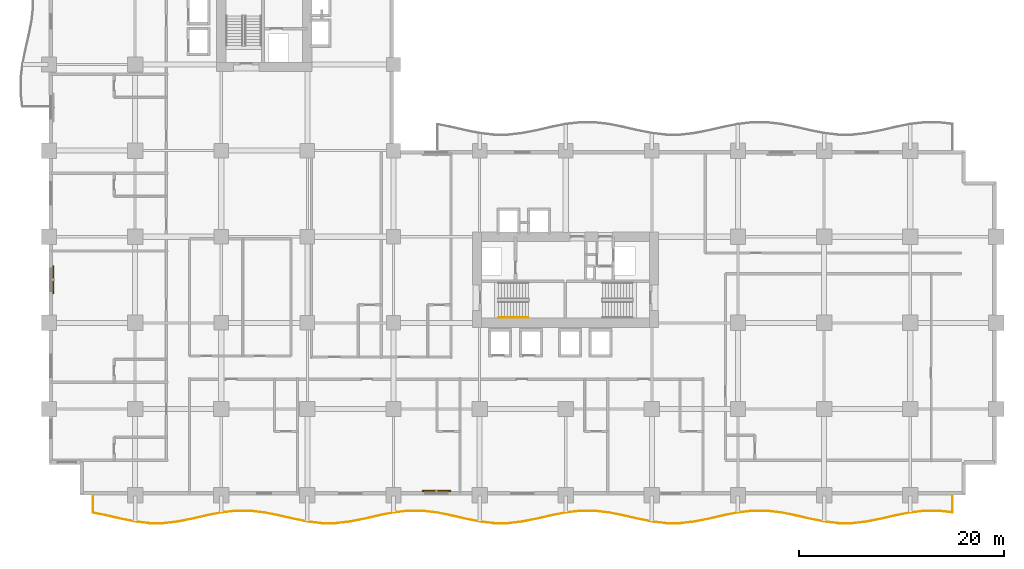
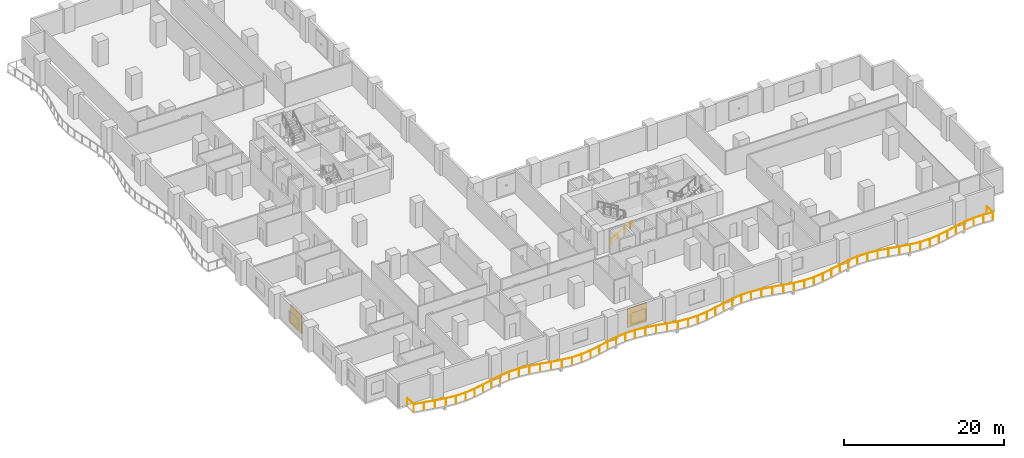
# One storey, part 17 of 20: 2 railings, 2 shading devices.
"""IFC4 building model written with IfcOpenShell, lengths in metres."""

from ifc_helpers import new_model, si_unit, direction, frame, origin, origin_2d, place, context, subcontext, project, spatial, rectangle, circle, extrude, material, layer, layer_set, type_object, element, save


model = new_model("IFC4")

# Units and contexts
model_context = context("Model", 3, precision=1e-05, world=origin(), true_north=direction((0.0, 1.0)))
body_context = subcontext(model_context, "Body", "Model", "MODEL_VIEW")
ifc_project = project(units=[si_unit("LENGTHUNIT", "METRE"), si_unit("AREAUNIT", "SQUARE_METRE"), si_unit("VOLUMEUNIT", "CUBIC_METRE"), si_unit("PLANEANGLEUNIT", "RADIAN"), si_unit("MASSUNIT", "GRAM", prefix="KILO")], contexts=[model_context])

# Site, building, storey
site_placement = place(None, origin())
site = spatial("IfcSite", under=ifc_project, at=site_placement, CompositionType="ELEMENT")
building_placement = place(site_placement, origin())
building = spatial("IfcBuilding", under=site, at=building_placement, Name="Koriwani Terraces Tower", CompositionType="ELEMENT")
storey_placement = place(building_placement, frame((0.0, 0.0, 73.800048828125)))
storey = spatial("IfcBuildingStorey", under=building, at=storey_placement, Name="L17", CompositionType="ELEMENT", Elevation=73.800048828125)

# Railings
ifc_material_1 = material(Name="Steel ASTM A572 Grade 50", Category="steel")
railing_type_1 = type_object("IfcRailingType", Name="GUARD_BALUSTRADE_1150", PredefinedType="BALUSTRADE", material=ifc_material_1)
railing_1_placement = place(storey_placement, frame((4.280029296875, -0.080078125, 0.0)))
element("IfcRailing", 1, at=railing_1_placement, inside=storey, type_object=railing_type_1, Name="L17 Balcony Perimeter Safety Balustrade (S)", PredefinedType="BALUSTRADE", context=body_context, shape_type="SweptSolid", body=[
    extrude(circle(Radius=0.02392578125, at=origin_2d()), frame((0.0, 0.0, 1.1259765625), z_axis=(0.0, -1.0, 0.0), x_axis=(1.0, 0.0, 0.0)), (0.0, 0.0, 1.0), 1.637451171875),
    extrude(circle(Radius=0.02392578125, at=origin_2d()), frame((0.0, -1.637451171875, 1.1259765625), z_axis=(0.980553117747, -0.196253874553, 0.0), x_axis=(0.196253874553, 0.980553117747, 0.0)), (0.0, 0.0, 1.0), 1.363525390625),
    extrude(circle(Radius=0.02392578125, at=origin_2d()), frame((1.3369140625, -1.905029296875, 1.1259765625), z_axis=(0.974325285753, -0.225144925641, 0.0), x_axis=(0.225144925641, 0.974325285753, 0.0)), (0.0, 0.0, 1.0), 1.436767578125),
    extrude(circle(Radius=0.02392578125, at=origin_2d()), frame((2.73681640625, -2.228515625, 1.1259765625), z_axis=(0.980560880312, -0.196215086073, 0.0), x_axis=(0.196215086073, 0.980560880312, 0.0)), (0.0, 0.0, 1.0), 1.42333984375),
    extrude(circle(Radius=0.02392578125, at=origin_2d()), frame((4.132568359375, -2.5078125, 1.1259765625), z_axis=(0.993387554732, -0.114809259658, 0.0), x_axis=(0.114809259658, 0.993387554732, 0.0)), (0.0, 0.0, 1.0), 1.4013671875),
    extrude(circle(Radius=0.02392578125, at=origin_2d()), frame((5.524658203125, -2.668701171875, 1.1259765625), z_axis=(1.0, 0.0, 0.0), x_axis=(0.0, 1.0, 0.0)), (0.0, 0.0, 1.0), 1.390625),
    extrude(circle(Radius=0.02392578125, at=origin_2d()), frame((6.915283203125, -2.668701171875, 1.1259765625), z_axis=(0.993387554732, 0.114809259658, 0.0), x_axis=(-0.114809259658, 0.993387554732, 0.0)), (0.0, 0.0, 1.0), 1.4013671875),
    extrude(circle(Radius=0.02392578125, at=origin_2d()), frame((8.307373046875, -2.5078125, 1.1259765625), z_axis=(0.980560880312, 0.196215086073, 0.0), x_axis=(-0.196215086073, 0.980560880312, 0.0)), (0.0, 0.0, 1.0), 1.42333984375),
    extrude(circle(Radius=0.02392578125, at=origin_2d()), frame((9.703125, -2.228515625, 1.1259765625), z_axis=(0.974325285753, 0.225144925641, 0.0), x_axis=(-0.225144925641, 0.974325285753, 0.0)), (0.0, 0.0, 1.0), 1.436767578125),
    extrude(circle(Radius=0.02392578125, at=origin_2d()), frame((11.10302734375, -1.905029296875, 1.1259765625), z_axis=(0.980567562379, 0.196181690301, 0.0), x_axis=(-0.196181690301, 0.980567562379, 0.0)), (0.0, 0.0, 1.0), 1.432373046875),
    extrude(circle(Radius=0.02392578125, at=origin_2d()), frame((12.507568359375, -1.6240234375, 1.1259765625), z_axis=(0.993395347306, 0.114741814309, 0.0), x_axis=(-0.114741814309, 0.993395347306, 0.0)), (0.0, 0.0, 1.0), 1.4169921875),
    extrude(circle(Radius=0.02392578125, at=origin_2d()), frame((13.915283203125, -1.46142578125, 1.1259765625), z_axis=(1.0, 0.0, 0.0), x_axis=(0.0, 1.0, 0.0)), (0.0, 0.0, 1.0), 1.4091796875),
    extrude(circle(Radius=0.02392578125, at=origin_2d()), frame((15.324462890625, -1.46142578125, 1.1259765625), z_axis=(0.993397614974, -0.114722179915, 0.0), x_axis=(0.114722179915, 0.993397614974, 0.0)), (0.0, 0.0, 1.0), 1.417236328125),
    extrude(circle(Radius=0.02392578125, at=origin_2d()), frame((16.732421875, -1.6240234375, 1.1259765625), z_axis=(0.980567562379, -0.196181690301, 0.0), x_axis=(0.196181690301, 0.980567562379, 0.0)), (0.0, 0.0, 1.0), 1.432373046875),
    extrude(circle(Radius=0.02392578125, at=origin_2d()), frame((18.136962890625, -1.905029296875, 1.1259765625), z_axis=(0.974325285753, -0.225144925641, 0.0), x_axis=(0.225144925641, 0.974325285753, 0.0)), (0.0, 0.0, 1.0), 1.436767578125),
    extrude(circle(Radius=0.02392578125, at=origin_2d()), frame((19.536865234375, -2.228515625, 1.1259765625), z_axis=(0.980554275191, -0.196248091466, 0.0), x_axis=(0.196248091466, 0.980554275191, 0.0)), (0.0, 0.0, 1.0), 1.423095703125),
    extrude(circle(Radius=0.02392578125, at=origin_2d()), frame((20.932373046875, -2.5078125, 1.1259765625), z_axis=(0.993387554732, -0.114809259658, 0.0), x_axis=(0.114809259658, 0.993387554732, 0.0)), (0.0, 0.0, 1.0), 1.4013671875),
    extrude(circle(Radius=0.02392578125, at=origin_2d()), frame((22.324462890625, -2.668701171875, 1.1259765625), z_axis=(1.0, 0.0, 0.0), x_axis=(0.0, 1.0, 0.0)), (0.0, 0.0, 1.0), 1.390869140625),
    extrude(circle(Radius=0.02392578125, at=origin_2d()), frame((23.71533203125, -2.668701171875, 1.1259765625), z_axis=(0.993387554732, 0.114809259658, 0.0), x_axis=(-0.114809259658, 0.993387554732, 0.0)), (0.0, 0.0, 1.0), 1.4013671875),
    extrude(circle(Radius=0.02392578125, at=origin_2d()), frame((25.107421875, -2.5078125, 1.1259765625), z_axis=(0.980560880312, 0.196215086073, 0.0), x_axis=(-0.196215086073, 0.980560880312, 0.0)), (0.0, 0.0, 1.0), 1.42333984375),
    extrude(circle(Radius=0.02392578125, at=origin_2d()), frame((26.503173828125, -2.228515625, 1.1259765625), z_axis=(0.974325285753, 0.225144925641, 0.0), x_axis=(-0.225144925641, 0.974325285753, 0.0)), (0.0, 0.0, 1.0), 1.436767578125),
    extrude(circle(Radius=0.02392578125, at=origin_2d()), frame((27.903076171875, -1.905029296875, 1.1259765625), z_axis=(0.980567562379, 0.196181690301, 0.0), x_axis=(-0.196181690301, 0.980567562379, 0.0)), (0.0, 0.0, 1.0), 1.432373046875),
    extrude(circle(Radius=0.02392578125, at=origin_2d()), frame((29.3076171875, -1.6240234375, 1.1259765625), z_axis=(0.993395347306, 0.114741814309, 0.0), x_axis=(-0.114741814309, 0.993395347306, 0.0)), (0.0, 0.0, 1.0), 1.4169921875),
    extrude(circle(Radius=0.02392578125, at=origin_2d()), frame((30.71533203125, -1.46142578125, 1.1259765625), z_axis=(1.0, 0.0, 0.0), x_axis=(0.0, 1.0, 0.0)), (0.0, 0.0, 1.0), 1.4091796875),
    extrude(circle(Radius=0.02392578125, at=origin_2d()), frame((32.12451171875, -1.46142578125, 1.1259765625), z_axis=(0.993397614974, -0.114722179915, 0.0), x_axis=(0.114722179915, 0.993397614974, 0.0)), (0.0, 0.0, 1.0), 1.417236328125),
    extrude(circle(Radius=0.02392578125, at=origin_2d()), frame((33.532470703125, -1.6240234375, 1.1259765625), z_axis=(0.980561000791, -0.19621448399, 0.0), x_axis=(0.19621448399, 0.980561000791, 0.0)), (0.0, 0.0, 1.0), 1.43212890625),
    extrude(circle(Radius=0.02392578125, at=origin_2d()), frame((34.936767578125, -1.905029296875, 1.1259765625), z_axis=(0.974333896935, -0.225107657095, 0.0), x_axis=(0.225107657095, 0.974333896935, 0.0)), (0.0, 0.0, 1.0), 1.43701171875),
    extrude(circle(Radius=0.02392578125, at=origin_2d()), frame((36.3369140625, -2.228515625, 1.1259765625), z_axis=(0.980554275191, -0.196248091466, 0.0), x_axis=(0.196248091466, 0.980554275191, 0.0)), (0.0, 0.0, 1.0), 1.423095703125),
    extrude(circle(Radius=0.02392578125, at=origin_2d()), frame((37.732421875, -2.5078125, 1.1259765625), z_axis=(0.993387554732, -0.114809259658, 0.0), x_axis=(0.114809259658, 0.993387554732, 0.0)), (0.0, 0.0, 1.0), 1.4013671875),
    extrude(circle(Radius=0.02392578125, at=origin_2d()), frame((39.12451171875, -2.668701171875, 1.1259765625), z_axis=(1.0, 0.0, 0.0), x_axis=(0.0, 1.0, 0.0)), (0.0, 0.0, 1.0), 1.390869140625),
    extrude(circle(Radius=0.02392578125, at=origin_2d()), frame((40.515380859375, -2.668701171875, 1.1259765625), z_axis=(0.993387554732, 0.114809259658, 0.0), x_axis=(-0.114809259658, 0.993387554732, 0.0)), (0.0, 0.0, 1.0), 1.4013671875),
    extrude(circle(Radius=0.02392578125, at=origin_2d()), frame((41.907470703125, -2.5078125, 1.1259765625), z_axis=(0.980554275191, 0.196248091466, 0.0), x_axis=(-0.196248091466, 0.980554275191, 0.0)), (0.0, 0.0, 1.0), 1.423095703125),
    extrude(circle(Radius=0.02392578125, at=origin_2d()), frame((43.302978515625, -2.228515625, 1.1259765625), z_axis=(0.974333896935, 0.225107657095, 0.0), x_axis=(-0.225107657095, 0.974333896935, 0.0)), (0.0, 0.0, 1.0), 1.43701171875),
    extrude(circle(Radius=0.02392578125, at=origin_2d()), frame((44.703125, -1.905029296875, 1.1259765625), z_axis=(0.980567562379, 0.196181690301, 0.0), x_axis=(-0.196181690301, 0.980567562379, 0.0)), (0.0, 0.0, 1.0), 1.432373046875),
    extrude(circle(Radius=0.02392578125, at=origin_2d()), frame((46.107666015625, -1.6240234375, 1.1259765625), z_axis=(0.993395347306, 0.114741814309, 0.0), x_axis=(-0.114741814309, 0.993395347306, 0.0)), (0.0, 0.0, 1.0), 1.4169921875),
    extrude(circle(Radius=0.02392578125, at=origin_2d()), frame((47.515380859375, -1.46142578125, 1.1259765625), z_axis=(1.0, 0.0, 0.0), x_axis=(0.0, 1.0, 0.0)), (0.0, 0.0, 1.0), 1.4091796875),
    extrude(circle(Radius=0.02392578125, at=origin_2d()), frame((48.924560546875, -1.46142578125, 1.1259765625), z_axis=(0.993395347306, -0.114741814309, 0.0), x_axis=(0.114741814309, 0.993395347306, 0.0)), (0.0, 0.0, 1.0), 1.4169921875),
    extrude(circle(Radius=0.02392578125, at=origin_2d()), frame((50.332275390625, -1.6240234375, 1.1259765625), z_axis=(0.980567562379, -0.196181690301, 0.0), x_axis=(0.196181690301, 0.980567562379, 0.0)), (0.0, 0.0, 1.0), 1.432373046875),
    extrude(circle(Radius=0.02392578125, at=origin_2d()), frame((51.73681640625, -1.905029296875, 1.1259765625), z_axis=(0.974333896935, -0.225107657095, 0.0), x_axis=(0.225107657095, 0.974333896935, 0.0)), (0.0, 0.0, 1.0), 1.43701171875),
    extrude(circle(Radius=0.02392578125, at=origin_2d()), frame((53.136962890625, -2.228515625, 1.1259765625), z_axis=(0.980554275191, -0.196248091466, 0.0), x_axis=(0.196248091466, 0.980554275191, 0.0)), (0.0, 0.0, 1.0), 1.423095703125),
    extrude(circle(Radius=0.02392578125, at=origin_2d()), frame((54.532470703125, -2.5078125, 1.1259765625), z_axis=(0.993387554732, -0.114809259658, 0.0), x_axis=(0.114809259658, 0.993387554732, 0.0)), (0.0, 0.0, 1.0), 1.4013671875),
    extrude(circle(Radius=0.02392578125, at=origin_2d()), frame((55.924560546875, -2.668701171875, 1.1259765625), z_axis=(1.0, 0.0, 0.0), x_axis=(0.0, 1.0, 0.0)), (0.0, 0.0, 1.0), 1.390869140625),
    extrude(circle(Radius=0.02392578125, at=origin_2d()), frame((57.3154296875, -2.668701171875, 1.1259765625), z_axis=(0.993387554732, 0.114809259658, 0.0), x_axis=(-0.114809259658, 0.993387554732, 0.0)), (0.0, 0.0, 1.0), 1.4013671875),
    extrude(circle(Radius=0.02392578125, at=origin_2d()), frame((58.70751953125, -2.5078125, 1.1259765625), z_axis=(0.980554275191, 0.196248091466, 0.0), x_axis=(-0.196248091466, 0.980554275191, 0.0)), (0.0, 0.0, 1.0), 1.423095703125),
    extrude(circle(Radius=0.02392578125, at=origin_2d()), frame((60.10302734375, -2.228515625, 1.1259765625), z_axis=(0.974333896935, 0.225107657095, 0.0), x_axis=(-0.225107657095, 0.974333896935, 0.0)), (0.0, 0.0, 1.0), 1.43701171875),
    extrude(circle(Radius=0.02392578125, at=origin_2d()), frame((61.503173828125, -1.905029296875, 1.1259765625), z_axis=(0.980561000791, 0.19621448399, 0.0), x_axis=(-0.19621448399, 0.980561000791, 0.0)), (0.0, 0.0, 1.0), 1.43212890625),
    extrude(circle(Radius=0.02392578125, at=origin_2d()), frame((62.907470703125, -1.6240234375, 1.1259765625), z_axis=(0.993397614974, 0.114722179915, 0.0), x_axis=(-0.114722179915, 0.993397614974, 0.0)), (0.0, 0.0, 1.0), 1.417236328125),
    extrude(circle(Radius=0.02392578125, at=origin_2d()), frame((64.3154296875, -1.46142578125, 1.1259765625), z_axis=(1.0, 0.0, 0.0), x_axis=(0.0, 1.0, 0.0)), (0.0, 0.0, 1.0), 1.4091796875),
    extrude(circle(Radius=0.02392578125, at=origin_2d()), frame((65.724609375, -1.46142578125, 1.1259765625), z_axis=(0.993395347306, -0.114741814309, 0.0), x_axis=(0.114741814309, 0.993395347306, 0.0)), (0.0, 0.0, 1.0), 1.4169921875),
    extrude(circle(Radius=0.02392578125, at=origin_2d()), frame((67.13232421875, -1.6240234375, 1.1259765625), z_axis=(0.980567562379, -0.196181690301, 0.0), x_axis=(0.196181690301, 0.980567562379, 0.0)), (0.0, 0.0, 1.0), 1.432373046875),
    extrude(circle(Radius=0.02392578125, at=origin_2d()), frame((68.536865234375, -1.905029296875, 1.1259765625), z_axis=(0.974325285753, -0.225144925641, 0.0), x_axis=(0.225144925641, 0.974325285753, 0.0)), (0.0, 0.0, 1.0), 1.436767578125),
    extrude(circle(Radius=0.02392578125, at=origin_2d()), frame((69.936767578125, -2.228515625, 1.1259765625), z_axis=(0.980560880312, -0.196215086073, 0.0), x_axis=(0.196215086073, 0.980560880312, 0.0)), (0.0, 0.0, 1.0), 1.42333984375),
    extrude(circle(Radius=0.02392578125, at=origin_2d()), frame((71.33251953125, -2.5078125, 1.1259765625), z_axis=(0.993387554732, -0.114809259658, 0.0), x_axis=(0.114809259658, 0.993387554732, 0.0)), (0.0, 0.0, 1.0), 1.4013671875),
    extrude(circle(Radius=0.02392578125, at=origin_2d()), frame((72.724609375, -2.668701171875, 1.1259765625), z_axis=(1.0, 0.0, 0.0), x_axis=(0.0, 1.0, 0.0)), (0.0, 0.0, 1.0), 1.390869140625),
    extrude(circle(Radius=0.02392578125, at=origin_2d()), frame((74.115478515625, -2.668701171875, 1.1259765625), z_axis=(0.993387554732, 0.114809259658, 0.0), x_axis=(-0.114809259658, 0.993387554732, 0.0)), (0.0, 0.0, 1.0), 1.4013671875),
    extrude(circle(Radius=0.02392578125, at=origin_2d()), frame((75.507568359375, -2.5078125, 1.1259765625), z_axis=(0.980554275191, 0.196248091466, 0.0), x_axis=(-0.196248091466, 0.980554275191, 0.0)), (0.0, 0.0, 1.0), 1.423095703125),
    extrude(circle(Radius=0.02392578125, at=origin_2d()), frame((76.903076171875, -2.228515625, 1.1259765625), z_axis=(0.974325285753, 0.225144925641, 0.0), x_axis=(-0.225144925641, 0.974325285753, 0.0)), (0.0, 0.0, 1.0), 1.436767578125),
    extrude(circle(Radius=0.02392578125, at=origin_2d()), frame((78.302978515625, -1.905029296875, 1.1259765625), z_axis=(0.980567562379, 0.196181690301, 0.0), x_axis=(-0.196181690301, 0.980567562379, 0.0)), (0.0, 0.0, 1.0), 1.432373046875),
    extrude(circle(Radius=0.02392578125, at=origin_2d()), frame((79.70751953125, -1.6240234375, 1.1259765625), z_axis=(0.993397614974, 0.114722179915, 0.0), x_axis=(-0.114722179915, 0.993397614974, 0.0)), (0.0, 0.0, 1.0), 1.417236328125),
    extrude(circle(Radius=0.02392578125, at=origin_2d()), frame((81.115478515625, -1.46142578125, 1.1259765625), z_axis=(1.0, 0.0, 0.0), x_axis=(0.0, 1.0, 0.0)), (0.0, 0.0, 1.0), 1.4091796875),
    extrude(circle(Radius=0.02392578125, at=origin_2d()), frame((82.524658203125, -1.46142578125, 1.1259765625), z_axis=(0.993402474505, -0.11468009264, 0.0), x_axis=(0.11468009264, 0.993402474505, 0.0)), (0.0, 0.0, 1.0), 1.32421875),
    extrude(circle(Radius=0.02392578125, at=origin_2d()), frame((83.840087890625, -1.61328125, 1.1259765625), z_axis=(0.0, 1.0, 0.0), x_axis=(-1.0, 0.0, 0.0)), (0.0, 0.0, 1.0), 1.61328125),
    extrude(circle(Radius=0.02099609375, at=origin_2d()), origin(), (0.0, 0.0, 1.0), 1.101806640625),
    extrude(circle(Radius=0.02099609375, at=origin_2d()), frame((0.0, -1.637451171875, 0.0)), (0.0, 0.0, 1.0), 1.101806640625),
    extrude(circle(Radius=0.02099609375, at=origin_2d()), frame((1.3369140625, -1.905029296875, 0.0)), (0.0, 0.0, 1.0), 1.101806640625),
    extrude(circle(Radius=0.02099609375, at=origin_2d()), frame((2.73681640625, -2.228515625, 0.0)), (0.0, 0.0, 1.0), 1.101806640625),
    extrude(circle(Radius=0.02099609375, at=origin_2d()), frame((4.132568359375, -2.5078125, 0.0)), (0.0, 0.0, 1.0), 1.101806640625),
    extrude(circle(Radius=0.02099609375, at=origin_2d()), frame((5.524658203125, -2.668701171875, 0.0)), (0.0, 0.0, 1.0), 1.101806640625),
    extrude(circle(Radius=0.02099609375, at=origin_2d()), frame((6.915283203125, -2.668701171875, 0.0)), (0.0, 0.0, 1.0), 1.101806640625),
    extrude(circle(Radius=0.02099609375, at=origin_2d()), frame((8.307373046875, -2.5078125, 0.0)), (0.0, 0.0, 1.0), 1.101806640625),
    extrude(circle(Radius=0.02099609375, at=origin_2d()), frame((9.703125, -2.228515625, 0.0)), (0.0, 0.0, 1.0), 1.101806640625),
    extrude(circle(Radius=0.02099609375, at=origin_2d()), frame((11.10302734375, -1.905029296875, 0.0)), (0.0, 0.0, 1.0), 1.101806640625),
    extrude(circle(Radius=0.02099609375, at=origin_2d()), frame((12.507568359375, -1.6240234375, 0.0)), (0.0, 0.0, 1.0), 1.101806640625),
    extrude(circle(Radius=0.02099609375, at=origin_2d()), frame((13.915283203125, -1.46142578125, 0.0)), (0.0, 0.0, 1.0), 1.101806640625),
    extrude(circle(Radius=0.02099609375, at=origin_2d()), frame((15.324462890625, -1.46142578125, 0.0)), (0.0, 0.0, 1.0), 1.101806640625),
    extrude(circle(Radius=0.02099609375, at=origin_2d()), frame((16.732421875, -1.6240234375, 0.0)), (0.0, 0.0, 1.0), 1.101806640625),
    extrude(circle(Radius=0.02099609375, at=origin_2d()), frame((18.136962890625, -1.905029296875, 0.0)), (0.0, 0.0, 1.0), 1.101806640625),
    extrude(circle(Radius=0.02099609375, at=origin_2d()), frame((19.536865234375, -2.228515625, 0.0)), (0.0, 0.0, 1.0), 1.101806640625),
    extrude(circle(Radius=0.02099609375, at=origin_2d()), frame((20.932373046875, -2.5078125, 0.0)), (0.0, 0.0, 1.0), 1.101806640625),
    extrude(circle(Radius=0.02099609375, at=origin_2d()), frame((22.324462890625, -2.668701171875, 0.0)), (0.0, 0.0, 1.0), 1.101806640625),
    extrude(circle(Radius=0.02099609375, at=origin_2d()), frame((23.71533203125, -2.668701171875, 0.0)), (0.0, 0.0, 1.0), 1.101806640625),
    extrude(circle(Radius=0.02099609375, at=origin_2d()), frame((25.107421875, -2.5078125, 0.0)), (0.0, 0.0, 1.0), 1.101806640625),
    extrude(circle(Radius=0.02099609375, at=origin_2d()), frame((26.503173828125, -2.228515625, 0.0)), (0.0, 0.0, 1.0), 1.101806640625),
    extrude(circle(Radius=0.02099609375, at=origin_2d()), frame((27.903076171875, -1.905029296875, 0.0)), (0.0, 0.0, 1.0), 1.101806640625),
    extrude(circle(Radius=0.02099609375, at=origin_2d()), frame((29.3076171875, -1.6240234375, 0.0)), (0.0, 0.0, 1.0), 1.101806640625),
    extrude(circle(Radius=0.02099609375, at=origin_2d()), frame((30.71533203125, -1.46142578125, 0.0)), (0.0, 0.0, 1.0), 1.101806640625),
    extrude(circle(Radius=0.02099609375, at=origin_2d()), frame((32.12451171875, -1.46142578125, 0.0)), (0.0, 0.0, 1.0), 1.101806640625),
    extrude(circle(Radius=0.02099609375, at=origin_2d()), frame((33.532470703125, -1.6240234375, 0.0)), (0.0, 0.0, 1.0), 1.101806640625),
    extrude(circle(Radius=0.02099609375, at=origin_2d()), frame((34.936767578125, -1.905029296875, 0.0)), (0.0, 0.0, 1.0), 1.101806640625),
    extrude(circle(Radius=0.02099609375, at=origin_2d()), frame((36.3369140625, -2.228515625, 0.0)), (0.0, 0.0, 1.0), 1.101806640625),
    extrude(circle(Radius=0.02099609375, at=origin_2d()), frame((37.732421875, -2.5078125, 0.0)), (0.0, 0.0, 1.0), 1.101806640625),
    extrude(circle(Radius=0.02099609375, at=origin_2d()), frame((39.12451171875, -2.668701171875, 0.0)), (0.0, 0.0, 1.0), 1.101806640625),
    extrude(circle(Radius=0.02099609375, at=origin_2d()), frame((40.515380859375, -2.668701171875, 0.0)), (0.0, 0.0, 1.0), 1.101806640625),
    extrude(circle(Radius=0.02099609375, at=origin_2d()), frame((41.907470703125, -2.5078125, 0.0)), (0.0, 0.0, 1.0), 1.101806640625),
    extrude(circle(Radius=0.02099609375, at=origin_2d()), frame((43.302978515625, -2.228515625, 0.0)), (0.0, 0.0, 1.0), 1.101806640625),
    extrude(circle(Radius=0.02099609375, at=origin_2d()), frame((44.703125, -1.905029296875, 0.0)), (0.0, 0.0, 1.0), 1.101806640625),
    extrude(circle(Radius=0.02099609375, at=origin_2d()), frame((46.107666015625, -1.6240234375, 0.0)), (0.0, 0.0, 1.0), 1.101806640625),
    extrude(circle(Radius=0.02099609375, at=origin_2d()), frame((47.515380859375, -1.46142578125, 0.0)), (0.0, 0.0, 1.0), 1.101806640625),
    extrude(circle(Radius=0.02099609375, at=origin_2d()), frame((48.924560546875, -1.46142578125, 0.0)), (0.0, 0.0, 1.0), 1.101806640625),
    extrude(circle(Radius=0.02099609375, at=origin_2d()), frame((50.332275390625, -1.6240234375, 0.0)), (0.0, 0.0, 1.0), 1.101806640625),
    extrude(circle(Radius=0.02099609375, at=origin_2d()), frame((51.73681640625, -1.905029296875, 0.0)), (0.0, 0.0, 1.0), 1.101806640625),
    extrude(circle(Radius=0.02099609375, at=origin_2d()), frame((53.136962890625, -2.228515625, 0.0)), (0.0, 0.0, 1.0), 1.101806640625),
    extrude(circle(Radius=0.02099609375, at=origin_2d()), frame((54.532470703125, -2.5078125, 0.0)), (0.0, 0.0, 1.0), 1.101806640625),
    extrude(circle(Radius=0.02099609375, at=origin_2d()), frame((55.924560546875, -2.668701171875, 0.0)), (0.0, 0.0, 1.0), 1.101806640625),
    extrude(circle(Radius=0.02099609375, at=origin_2d()), frame((57.3154296875, -2.668701171875, 0.0)), (0.0, 0.0, 1.0), 1.101806640625),
    extrude(circle(Radius=0.02099609375, at=origin_2d()), frame((58.70751953125, -2.5078125, 0.0)), (0.0, 0.0, 1.0), 1.101806640625),
    extrude(circle(Radius=0.02099609375, at=origin_2d()), frame((60.10302734375, -2.228515625, 0.0)), (0.0, 0.0, 1.0), 1.101806640625),
    extrude(circle(Radius=0.02099609375, at=origin_2d()), frame((61.503173828125, -1.905029296875, 0.0)), (0.0, 0.0, 1.0), 1.101806640625),
    extrude(circle(Radius=0.02099609375, at=origin_2d()), frame((62.907470703125, -1.6240234375, 0.0)), (0.0, 0.0, 1.0), 1.101806640625),
    extrude(circle(Radius=0.02099609375, at=origin_2d()), frame((64.3154296875, -1.46142578125, 0.0)), (0.0, 0.0, 1.0), 1.101806640625),
    extrude(circle(Radius=0.02099609375, at=origin_2d()), frame((65.724609375, -1.46142578125, 0.0)), (0.0, 0.0, 1.0), 1.101806640625),
    extrude(circle(Radius=0.02099609375, at=origin_2d()), frame((67.13232421875, -1.6240234375, 0.0)), (0.0, 0.0, 1.0), 1.101806640625),
    extrude(circle(Radius=0.02099609375, at=origin_2d()), frame((68.536865234375, -1.905029296875, 0.0)), (0.0, 0.0, 1.0), 1.101806640625),
    extrude(circle(Radius=0.02099609375, at=origin_2d()), frame((69.936767578125, -2.228515625, 0.0)), (0.0, 0.0, 1.0), 1.101806640625),
    extrude(circle(Radius=0.02099609375, at=origin_2d()), frame((71.33251953125, -2.5078125, 0.0)), (0.0, 0.0, 1.0), 1.101806640625),
    extrude(circle(Radius=0.02099609375, at=origin_2d()), frame((72.724609375, -2.668701171875, 0.0)), (0.0, 0.0, 1.0), 1.101806640625),
    extrude(circle(Radius=0.02099609375, at=origin_2d()), frame((74.115478515625, -2.668701171875, 0.0)), (0.0, 0.0, 1.0), 1.101806640625),
    extrude(circle(Radius=0.02099609375, at=origin_2d()), frame((75.507568359375, -2.5078125, 0.0)), (0.0, 0.0, 1.0), 1.101806640625),
    extrude(circle(Radius=0.02099609375, at=origin_2d()), frame((76.903076171875, -2.228515625, 0.0)), (0.0, 0.0, 1.0), 1.101806640625),
    extrude(circle(Radius=0.02099609375, at=origin_2d()), frame((78.302978515625, -1.905029296875, 0.0)), (0.0, 0.0, 1.0), 1.101806640625),
    extrude(circle(Radius=0.02099609375, at=origin_2d()), frame((79.70751953125, -1.6240234375, 0.0)), (0.0, 0.0, 1.0), 1.101806640625),
    extrude(circle(Radius=0.02099609375, at=origin_2d()), frame((81.115478515625, -1.46142578125, 0.0)), (0.0, 0.0, 1.0), 1.101806640625),
    extrude(circle(Radius=0.02099609375, at=origin_2d()), frame((82.524658203125, -1.46142578125, 0.0)), (0.0, 0.0, 1.0), 1.101806640625),
    extrude(circle(Radius=0.02099609375, at=origin_2d()), frame((83.840087890625, -1.61328125, 0.0)), (0.0, 0.0, 1.0), 1.101806640625),
    extrude(circle(Radius=0.02099609375, at=origin_2d()), frame((83.840087890625, 0.0, 0.0)), (0.0, 0.0, 1.0), 1.101806640625),
])
railing_type_2 = type_object("IfcRailingType", Name="HANDRAIL_STAIR_920", PredefinedType="HANDRAIL", material=ifc_material_1)
railing_2_placement = place(storey_placement, frame((43.85009765625, 17.300048828125, 0.172607421875)))
element("IfcRailing", 2, at=railing_2_placement, inside=storey, type_object=railing_type_2, Name="L17 ST-E1 stair handrail 1", PredefinedType="HANDRAIL", context=body_context, shape_type="SweptSolid", body=[
    extrude(circle(Radius=0.02392578125, at=origin_2d()), frame((0.0, 0.0, 0.8759765625), z_axis=(0.859141464434, 0.0, 0.511738159696), x_axis=(0.0, 1.0, 0.0)), (0.0, 0.0, 1.0), 3.375244140625),
    extrude(circle(Radius=0.02099609375, at=origin_2d()), origin(), (0.0, 0.0, 1.0), 0.851806640625),
    extrude(circle(Radius=0.02099609375, at=origin_2d()), frame((0.966552734375, 0.0, 0.57568359375)), (0.0, 0.0, 1.0), 0.851806640625),
    extrude(circle(Radius=0.02099609375, at=origin_2d()), frame((1.933349609375, 0.0, 1.151611328125)), (0.0, 0.0, 1.0), 0.851806640625),
    extrude(circle(Radius=0.02099609375, at=origin_2d()), frame((2.89990234375, 0.0, 1.727294921875)), (0.0, 0.0, 1.0), 0.851806640625),
])

# Shading devices
ifc_material_2 = material(Name="Extruded Terracotta Clay", Category="masonry")
ifc_layer = layer(ifc_material_2, 0.1201171875, Name="Extruded Terracotta Clay")
ifc_layer_set = layer_set([ifc_layer], Name="Extruded Terracotta Clay")
shading_device_type = type_object("IfcShadingDeviceType", Name="TERRACOTTA_BAGUETTE_SCREEN_2800", PredefinedType="USERDEFINED", material=ifc_layer_set)
for number, where, z_axis, x_axis, name in (
    (3, (0.405029296875, 21.0, 0.324951171875), (0.0, 0.0, 1.0), (0.0, 1.0, 0.0), "L17 Extruded Terracotta Baguette Screen (W-6)"),
    (4, (37.800048828125, 0.405029296875, 0.324951171875), (0.0, 0.0, 1.0), (-1.0, 0.0, 0.0), "L17 Extruded Terracotta Baguette Screen (S-12)"),
):
    element("IfcShadingDevice", number, at=place(storey_placement, frame(where, z_axis=z_axis, x_axis=x_axis)), inside=storey, type_object=shading_device_type, Name=name, ObjectType="BAGUETTE", PredefinedType="USERDEFINED", context=body_context, shape_type="SweptSolid", body=[
        extrude(rectangle(XDim=2.760009765625, YDim=0.1201171875, at=origin_2d()), origin(), (0.0, 0.0, 1.0), 2.89990234375),
    ])

save(model, "model.ifc")
